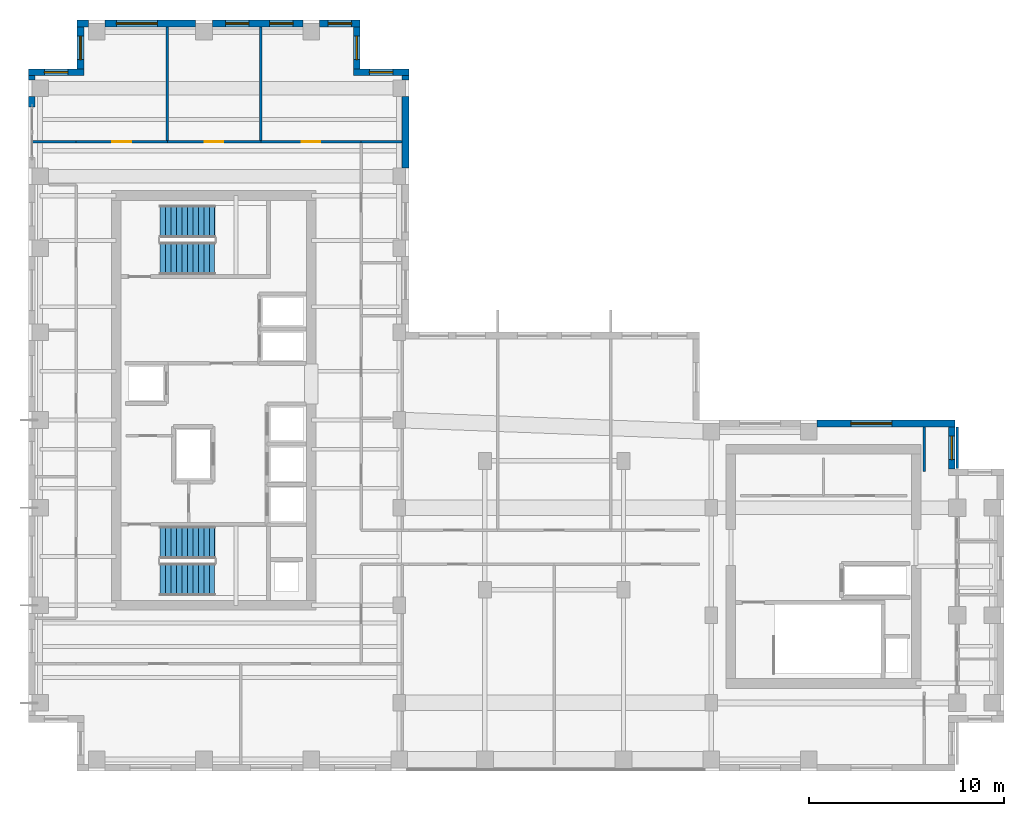
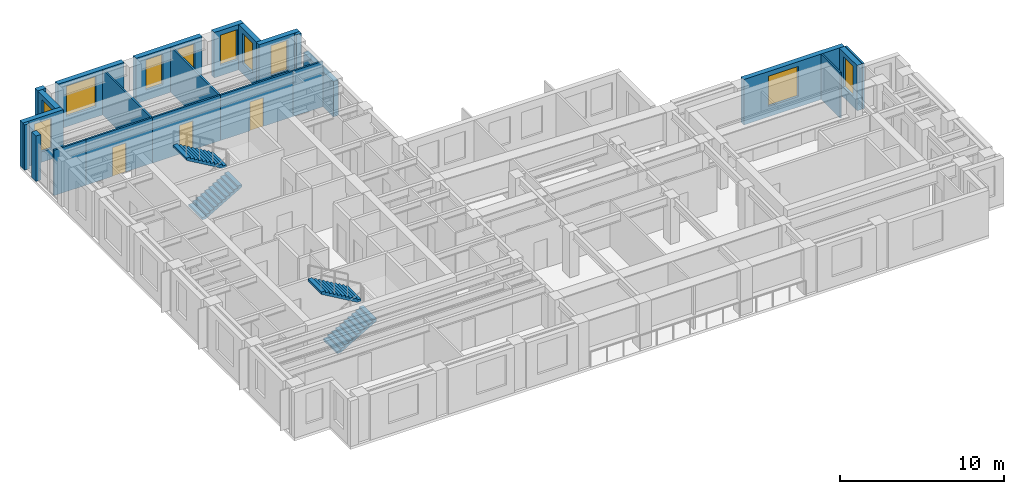
# One storey, part 10 of 13: 23 walls, 10 windows, 4 stair flights, 3 doors, 13 openings, 2 elements without a shape of their own.
"""IFC4 building model written with IfcOpenShell, lengths in metres."""

from ifc_helpers import new_model, si_unit, direction, frame, frame_2d, origin, place, context, subcontext, project, spatial, polyline, rectangle, outline, extrude, source, transform, mapped, material, layer, layer_set, type_object, element, fill, aggregate, save


model = new_model("IFC4")

# Units and contexts
model_context = context("Model", 3, precision=1e-05, world=origin(), true_north=direction((0.0, 1.0)))
body_context = subcontext(model_context, "Body", "Model", "MODEL_VIEW")
ifc_project = project(units=[si_unit("LENGTHUNIT", "METRE"), si_unit("AREAUNIT", "SQUARE_METRE"), si_unit("VOLUMEUNIT", "CUBIC_METRE"), si_unit("PLANEANGLEUNIT", "RADIAN"), si_unit("MASSUNIT", "GRAM", prefix="KILO")], contexts=[model_context])

# Site, building, storey
site_placement = place(None, origin())
site = spatial("IfcSite", under=ifc_project, at=site_placement, CompositionType="ELEMENT")
building_placement = place(site_placement, origin())
building = spatial("IfcBuilding", under=site, at=building_placement, Name="Kharzan Plaza Tower", CompositionType="ELEMENT")
storey_placement = place(building_placement, frame((0.0, 0.0, 259.199951171875)))
storey = spatial("IfcBuildingStorey", under=building, at=storey_placement, Name="L70", CompositionType="ELEMENT", Elevation=259.199951171875)

# Wall, opening, window
ifc_material_1 = material(Name="Concrete C40/50", Category="concrete")
ifc_layer_1 = layer(ifc_material_1, 0.35009765625)
ifc_layer_set_1 = layer_set([ifc_layer_1], Name="Concrete C40/50")
wall_type_1 = type_object("IfcWallType", Name="WL-EXT-MAS-Z4", PredefinedType="SOLIDWALL", material=ifc_layer_set_1)
wall_1_placement = place(storey_placement, frame((19.5, 35.824951171875, 0.0), z_axis=(0.0, 0.0, 1.0), x_axis=(-1.0, 0.0, 0.0)))
wall_1 = element("IfcWall", 1, at=wall_1_placement, inside=storey, type_object=wall_type_1, Name="L70 Masonry-Frame Exterior Wall 06", PredefinedType="SOLIDWALL", context=body_context, shape_type="SweptSolid", body=[
    extrude(rectangle(XDim=2.85009765625, YDim=0.35009765625, at=frame_2d((1.425048828125, 0.0))), origin(), (0.0, 0.0, 1.0), 3.385009765625),
])
opening_1_placement = place(wall_1_placement, frame((0.824951171875, 0.0, 0.780029296875)))
opening_1 = element("IfcOpeningElement", 2, at=opening_1_placement, cuts=wall_1, Name="Opening W3", PredefinedType="OPENING", context=body_context, shape_type="SweptSolid", body=[
    extrude(rectangle(XDim=1.199951171875, YDim=2.25, at=frame_2d((0.60009765625, 1.125))), frame((0.0, 0.18505859375, 0.0), z_axis=(0.0, -1.0, 0.0), x_axis=(1.0, 0.0, 0.0)), (0.0, 0.0, 1.0), 0.3701171875),
])
ifc_material_2 = material(Name="Low-E Double Glazing", Category="glass")
window_type_1 = type_object("IfcWindowType", Name="WN-REC-1200x2100", PartitioningType="SINGLE_PANEL", PredefinedType="WINDOW", material=ifc_material_2)
shared_shape_1 = source(origin(), body_context, "Body", "SweptSolid", [
    extrude(rectangle(XDim=1.199951171875, YDim=2.25, at=frame_2d((0.60009765625, 1.125))), frame((0.0, 0.030029296875, 0.0), z_axis=(0.0, -1.0, 0.0), x_axis=(1.0, 0.0, 0.0)), (0.0, 0.0, 1.0), 0.06005859375),
])
window_1_placement = place(opening_1_placement, origin())
window_1 = element("IfcWindow", 3, at=window_1_placement, inside=storey, type_object=window_type_1, Name="L70 Recessed Solar-Control Window 06-1", OverallHeight=2.25, OverallWidth=1.199951171875, PartitioningType="SINGLE_PANEL", PredefinedType="WINDOW", context=body_context, shape_type="MappedRepresentation", body=[
    mapped(shared_shape_1, transform((0.0, 0.0, 0.0), x_axis=(1.0, 0.0, 0.0), y_axis=(0.0, 1.0, 0.0), z_axis=(0.0, 0.0, 1.0))),
])
fill(opening_1, window_1)

wall_2_placement = place(storey_placement, frame((16.824951171875, 35.998046875, 0.0), z_axis=(0.0, 0.0, 1.0), x_axis=(0.0, 1.0, 0.0)))
wall_2 = element("IfcWall", 4, at=wall_2_placement, inside=storey, type_object=wall_type_1, Name="L70 Masonry-Frame Exterior Wall 07", PredefinedType="SOLIDWALL", context=body_context, shape_type="SweptSolid", body=[
    extrude(rectangle(XDim=2.154052734375, YDim=0.35009765625, at=frame_2d((1.0771484375, 0.0))), origin(), (0.0, 0.0, 1.0), 3.385009765625),
])
opening_2_placement = place(wall_2_placement, frame((0.47705078125, 0.0, 0.780029296875)))
opening_2 = element("IfcOpeningElement", 5, at=opening_2_placement, cuts=wall_2, Name="Opening W3", PredefinedType="OPENING", context=body_context, shape_type="SweptSolid", body=[
    extrude(rectangle(XDim=1.199951171875, YDim=2.25, at=frame_2d((0.60009765625, 1.125))), frame((0.0, 0.18505859375, 0.0), z_axis=(0.0, -1.0, 0.0), x_axis=(1.0, 0.0, 0.0)), (0.0, 0.0, 1.0), 0.3701171875),
])
window_2_placement = place(opening_2_placement, origin())
window_2 = element("IfcWindow", 6, at=window_2_placement, inside=storey, type_object=window_type_1, Name="L70 Recessed Solar-Control Window 07-1", OverallHeight=2.25, OverallWidth=1.199951171875, PartitioningType="SINGLE_PANEL", PredefinedType="WINDOW", context=body_context, shape_type="MappedRepresentation", body=[
    mapped(shared_shape_1, transform((0.0, 0.0, 0.0), x_axis=(1.0, 0.0, 0.0), y_axis=(0.0, 1.0, 0.0), z_axis=(0.0, 0.0, 1.0))),
])
fill(opening_2, window_2)

wall_3_placement = place(storey_placement, frame((17.0, 38.324951171875, 0.0), z_axis=(0.0, 0.0, 1.0), x_axis=(-1.0, 0.0, 0.0)))
wall_3 = element("IfcWall", 7, at=wall_3_placement, inside=storey, type_object=wall_type_1, Name="L70 Masonry-Frame Exterior Wall 08", PredefinedType="SOLIDWALL", context=body_context, shape_type="SweptSolid", body=[
    extrude(rectangle(XDim=2.076904296875, YDim=0.35009765625, at=frame_2d((1.03857421875, 0.0))), origin(), (0.0, 0.0, 1.0), 3.385009765625),
])
opening_3_placement = place(wall_3_placement, frame((0.4384765625, 0.0, 0.780029296875)))
opening_3 = element("IfcOpeningElement", 8, at=opening_3_placement, cuts=wall_3, Name="Opening W3", PredefinedType="OPENING", context=body_context, shape_type="SweptSolid", body=[
    extrude(rectangle(XDim=1.199951171875, YDim=2.25, at=frame_2d((0.60009765625, 1.125))), frame((0.0, 0.18505859375, 0.0), z_axis=(0.0, -1.0, 0.0), x_axis=(1.0, 0.0, 0.0)), (0.0, 0.0, 1.0), 0.3701171875),
])
window_3_placement = place(opening_3_placement, origin())
window_3 = element("IfcWindow", 9, at=window_3_placement, inside=storey, type_object=window_type_1, Name="L70 Recessed Solar-Control Window 08-1", OverallHeight=2.25, OverallWidth=1.199951171875, PartitioningType="SINGLE_PANEL", PredefinedType="WINDOW", context=body_context, shape_type="MappedRepresentation", body=[
    mapped(shared_shape_1, transform((0.0, 0.0, 0.0), x_axis=(1.0, 0.0, 0.0), y_axis=(0.0, 1.0, 0.0), z_axis=(0.0, 0.0, 1.0))),
])
fill(opening_3, window_3)

# Wall, openings, windows
wall_4_placement = place(storey_placement, frame((14.076904296875, 38.324951171875, 0.0), z_axis=(0.0, 0.0, 1.0), x_axis=(-1.0, 0.0, 0.0)))
wall_4 = element("IfcWall", 10, at=wall_4_placement, inside=storey, type_object=wall_type_1, Name="L70 Masonry-Frame Exterior Wall 09", PredefinedType="SOLIDWALL", context=body_context, shape_type="SweptSolid", body=[
    extrude(rectangle(XDim=4.65380859375, YDim=0.35009765625, at=frame_2d((2.326904296875, 0.0))), origin(), (0.0, 0.0, 1.0), 3.385009765625),
])
opening_4_placement = place(wall_4_placement, frame((0.515380859375, 0.0, 0.780029296875)))
opening_4 = element("IfcOpeningElement", 11, at=opening_4_placement, cuts=wall_4, Name="Opening W3", PredefinedType="OPENING", context=body_context, shape_type="SweptSolid", body=[
    extrude(rectangle(XDim=1.199951171875, YDim=2.25, at=frame_2d((0.60009765625, 1.125))), frame((0.0, 0.18505859375, 0.0), z_axis=(0.0, -1.0, 0.0), x_axis=(1.0, 0.0, 0.0)), (0.0, 0.0, 1.0), 0.3701171875),
])
opening_5_placement = place(wall_4_placement, frame((2.7724609375, 0.0, 0.780029296875)))
opening_5 = element("IfcOpeningElement", 12, at=opening_5_placement, cuts=wall_4, Name="Opening W3", PredefinedType="OPENING", context=body_context, shape_type="SweptSolid", body=[
    extrude(rectangle(XDim=1.199951171875, YDim=2.25, at=frame_2d((0.60009765625, 1.125))), frame((0.0, 0.18505859375, 0.0), z_axis=(0.0, -1.0, 0.0), x_axis=(1.0, 0.0, 0.0)), (0.0, 0.0, 1.0), 0.3701171875),
])
window_4_placement = place(opening_4_placement, origin())
window_4 = element("IfcWindow", 13, at=window_4_placement, inside=storey, type_object=window_type_1, Name="L70 Recessed Solar-Control Window 09-1", OverallHeight=2.25, OverallWidth=1.199951171875, PartitioningType="SINGLE_PANEL", PredefinedType="WINDOW", context=body_context, shape_type="MappedRepresentation", body=[
    mapped(shared_shape_1, transform((0.0, 0.0, 0.0), x_axis=(1.0, 0.0, 0.0), y_axis=(0.0, 1.0, 0.0), z_axis=(0.0, 0.0, 1.0))),
])
fill(opening_4, window_4)
window_5_placement = place(opening_5_placement, origin())
window_5 = element("IfcWindow", 14, at=window_5_placement, inside=storey, type_object=window_type_1, Name="L70 Recessed Solar-Control Window 09-2", OverallHeight=2.25, OverallWidth=1.199951171875, PartitioningType="SINGLE_PANEL", PredefinedType="WINDOW", context=body_context, shape_type="MappedRepresentation", body=[
    mapped(shared_shape_1, transform((0.0, 0.0, 0.0), x_axis=(1.0, 0.0, 0.0), y_axis=(0.0, 1.0, 0.0), z_axis=(0.0, 0.0, 1.0))),
])
fill(opening_5, window_5)

# Wall, opening, window
wall_5_placement = place(storey_placement, frame((8.576904296875, 38.324951171875, 0.0), z_axis=(0.0, 0.0, 1.0), x_axis=(-1.0, 0.0, 0.0)))
wall_5 = element("IfcWall", 15, at=wall_5_placement, inside=storey, type_object=wall_type_1, Name="L70 Masonry-Frame Exterior Wall 10", PredefinedType="SOLIDWALL", context=body_context, shape_type="SweptSolid", body=[
    extrude(rectangle(XDim=4.65380859375, YDim=0.35009765625, at=frame_2d((2.326904296875, 0.0))), origin(), (0.0, 0.0, 1.0), 3.385009765625),
])
opening_6_placement = place(wall_5_placement, frame((1.969970703125, 0.0, 0.780029296875)))
opening_6 = element("IfcOpeningElement", 16, at=opening_6_placement, cuts=wall_5, Name="Opening W6", PredefinedType="OPENING", context=body_context, shape_type="SweptSolid", body=[
    extrude(rectangle(XDim=2.10009765625, YDim=2.25, at=frame_2d((1.050048828125, 1.125))), frame((0.0, 0.18505859375, 0.0), z_axis=(0.0, -1.0, 0.0), x_axis=(1.0, 0.0, 0.0)), (0.0, 0.0, 1.0), 0.3701171875),
])
window_type_2 = type_object("IfcWindowType", Name="WN-EXEC-2100x2250", PartitioningType="SINGLE_PANEL", PredefinedType="WINDOW", material=ifc_material_2)
shared_shape_2 = source(origin(), body_context, "Body", "SweptSolid", [
    extrude(rectangle(XDim=2.10009765625, YDim=2.25, at=frame_2d((1.050048828125, 1.125))), frame((0.0, 0.030029296875, 0.0), z_axis=(0.0, -1.0, 0.0), x_axis=(1.0, 0.0, 0.0)), (0.0, 0.0, 1.0), 0.06005859375),
])
window_6_placement = place(opening_6_placement, origin())
window_6 = element("IfcWindow", 17, at=window_6_placement, inside=storey, type_object=window_type_2, Name="L70 Recessed Solar-Control Window 10-1", OverallHeight=2.25, OverallWidth=2.10009765625, PartitioningType="SINGLE_PANEL", PredefinedType="WINDOW", context=body_context, shape_type="MappedRepresentation", body=[
    mapped(shared_shape_2, transform((0.0, 0.0, 0.0), x_axis=(1.0, 0.0, 0.0), y_axis=(0.0, 1.0, 0.0), z_axis=(0.0, 0.0, 1.0))),
])
fill(opening_6, window_6)

wall_6_placement = place(storey_placement, frame((2.675048828125, 38.152099609375, 0.0), z_axis=(0.0, 0.0, 1.0), x_axis=(0.0, -1.0, 0.0)))
wall_6 = element("IfcWall", 18, at=wall_6_placement, inside=storey, type_object=wall_type_1, Name="L70 Masonry-Frame Exterior Wall 12", PredefinedType="SOLIDWALL", context=body_context, shape_type="SweptSolid", body=[
    extrude(rectangle(XDim=2.154052734375, YDim=0.35009765625, at=frame_2d((1.0771484375, 0.0))), origin(), (0.0, 0.0, 1.0), 3.385009765625),
])
opening_7_placement = place(wall_6_placement, frame((0.47705078125, 0.0, 0.780029296875)))
opening_7 = element("IfcOpeningElement", 19, at=opening_7_placement, cuts=wall_6, Name="Opening W3", PredefinedType="OPENING", context=body_context, shape_type="SweptSolid", body=[
    extrude(rectangle(XDim=1.199951171875, YDim=2.25, at=frame_2d((0.60009765625, 1.125))), frame((0.0, 0.18505859375, 0.0), z_axis=(0.0, -1.0, 0.0), x_axis=(1.0, 0.0, 0.0)), (0.0, 0.0, 1.0), 0.3701171875),
])
window_7_placement = place(opening_7_placement, origin())
window_7 = element("IfcWindow", 20, at=window_7_placement, inside=storey, type_object=window_type_1, Name="L70 Recessed Solar-Control Window 12-1", OverallHeight=2.25, OverallWidth=1.199951171875, PartitioningType="SINGLE_PANEL", PredefinedType="WINDOW", context=body_context, shape_type="MappedRepresentation", body=[
    mapped(shared_shape_1, transform((0.0, 0.0, 0.0), x_axis=(1.0, 0.0, 0.0), y_axis=(0.0, 1.0, 0.0), z_axis=(0.0, 0.0, 1.0))),
])
fill(opening_7, window_7)

wall_7_placement = place(storey_placement, frame((2.85009765625, 35.824951171875, 0.0), z_axis=(0.0, 0.0, 1.0), x_axis=(-1.0, 0.0, 0.0)))
wall_7 = element("IfcWall", 21, at=wall_7_placement, inside=storey, type_object=wall_type_1, Name="L70 Masonry-Frame Exterior Wall 13", PredefinedType="SOLIDWALL", context=body_context, shape_type="SweptSolid", body=[
    extrude(rectangle(XDim=2.85009765625, YDim=0.35009765625, at=frame_2d((1.425048828125, 0.0))), origin(), (0.0, 0.0, 1.0), 3.385009765625),
])
opening_8_placement = place(wall_7_placement, frame((0.824951171875, 0.0, 0.780029296875)))
opening_8 = element("IfcOpeningElement", 22, at=opening_8_placement, cuts=wall_7, Name="Opening W3", PredefinedType="OPENING", context=body_context, shape_type="SweptSolid", body=[
    extrude(rectangle(XDim=1.199951171875, YDim=2.25, at=frame_2d((0.60009765625, 1.125))), frame((0.0, 0.18505859375, 0.0), z_axis=(0.0, -1.0, 0.0), x_axis=(1.0, 0.0, 0.0)), (0.0, 0.0, 1.0), 0.3701171875),
])
window_8_placement = place(opening_8_placement, origin())
window_8 = element("IfcWindow", 23, at=window_8_placement, inside=storey, type_object=window_type_1, Name="L70 Recessed Solar-Control Window 13-1", OverallHeight=2.25, OverallWidth=1.199951171875, PartitioningType="SINGLE_PANEL", PredefinedType="WINDOW", context=body_context, shape_type="MappedRepresentation", body=[
    mapped(shared_shape_1, transform((0.0, 0.0, 0.0), x_axis=(1.0, 0.0, 0.0), y_axis=(0.0, 1.0, 0.0), z_axis=(0.0, 0.0, 1.0))),
])
fill(opening_8, window_8)

wall_8_placement = place(storey_placement, frame((47.324951171875, 15.498046875, 0.0), z_axis=(0.0, 0.0, 1.0), x_axis=(0.0, 1.0, 0.0)))
wall_8 = element("IfcWall", 24, at=wall_8_placement, inside=storey, type_object=wall_type_1, Name="L70 Masonry-Frame Exterior Wall 39", PredefinedType="SOLIDWALL", context=body_context, shape_type="SweptSolid", body=[
    extrude(rectangle(XDim=2.154052734375, YDim=0.35009765625, at=frame_2d((1.0771484375, 0.0))), origin(), (0.0, 0.0, 1.0), 3.385009765625),
])
opening_9_placement = place(wall_8_placement, frame((0.47705078125, 0.0, 0.780029296875)))
opening_9 = element("IfcOpeningElement", 25, at=opening_9_placement, cuts=wall_8, Name="Opening W3", PredefinedType="OPENING", context=body_context, shape_type="SweptSolid", body=[
    extrude(rectangle(XDim=1.199951171875, YDim=2.25, at=frame_2d((0.60009765625, 1.125))), frame((0.0, 0.18505859375, 0.0), z_axis=(0.0, -1.0, 0.0), x_axis=(1.0, 0.0, 0.0)), (0.0, 0.0, 1.0), 0.3701171875),
])
window_9_placement = place(opening_9_placement, origin())
window_9 = element("IfcWindow", 26, at=window_9_placement, inside=storey, type_object=window_type_1, Name="L70 Recessed Solar-Control Window 39-1", OverallHeight=2.25, OverallWidth=1.199951171875, PartitioningType="SINGLE_PANEL", PredefinedType="WINDOW", context=body_context, shape_type="MappedRepresentation", body=[
    mapped(shared_shape_1, transform((0.0, 0.0, 0.0), x_axis=(1.0, 0.0, 0.0), y_axis=(0.0, 1.0, 0.0), z_axis=(0.0, 0.0, 1.0))),
])
fill(opening_9, window_9)

wall_9_placement = place(storey_placement, frame((47.5, 17.824951171875, 0.0), z_axis=(0.0, 0.0, 1.0), x_axis=(-1.0, 0.0, 0.0)))
wall_9 = element("IfcWall", 27, at=wall_9_placement, inside=storey, type_object=wall_type_1, Name="L70 Masonry-Frame Exterior Wall 40", PredefinedType="SOLIDWALL", context=body_context, shape_type="SweptSolid", body=[
    extrude(rectangle(XDim=7.076904296875, YDim=0.35009765625, at=frame_2d((3.53857421875, 0.0))), origin(), (0.0, 0.0, 1.0), 3.385009765625),
])
opening_10_placement = place(wall_9_placement, frame((3.243408203125, 0.0, 0.780029296875)))
opening_10 = element("IfcOpeningElement", 28, at=opening_10_placement, cuts=wall_9, Name="Opening W6", PredefinedType="OPENING", context=body_context, shape_type="SweptSolid", body=[
    extrude(rectangle(XDim=2.10009765625, YDim=2.25, at=frame_2d((1.050048828125, 1.125))), frame((0.0, 0.18505859375, 0.0), z_axis=(0.0, -1.0, 0.0), x_axis=(1.0, 0.0, 0.0)), (0.0, 0.0, 1.0), 0.3701171875),
])
window_10_placement = place(opening_10_placement, origin())
window_10 = element("IfcWindow", 29, at=window_10_placement, inside=storey, type_object=window_type_2, Name="L70 Recessed Solar-Control Window 40-1", OverallHeight=2.25, OverallWidth=2.10009765625, PartitioningType="SINGLE_PANEL", PredefinedType="WINDOW", context=body_context, shape_type="MappedRepresentation", body=[
    mapped(shared_shape_2, transform((0.0, 0.0, 0.0), x_axis=(1.0, 0.0, 0.0), y_axis=(0.0, 1.0, 0.0), z_axis=(0.0, 0.0, 1.0))),
])
fill(opening_10, window_10)

# Wall, opening, door
ifc_material_3 = material(Name="Fire-Rated Gypsum Board Partition", Category="gypsum")
ifc_layer_2 = layer(ifc_material_3, 0.125)
ifc_layer_set_2 = layer_set([ifc_layer_2], Name="Fire-Rated Gypsum Board Partition")
wall_type_2 = type_object("IfcWallType", Name="WL-INT-PART-125", PredefinedType="PARTITIONING", material=ifc_layer_set_2)
wall_10_placement = place(storey_placement, frame((2.449951171875, 32.25, 0.0), z_axis=(0.0, 0.0, 1.0), x_axis=(1.0, 0.0, 0.0)))
wall_10 = element("IfcWall", 30, at=wall_10_placement, inside=storey, type_object=wall_type_2, Name="L70 Interior Partition SH-NN-1", PredefinedType="PARTITIONING", context=body_context, shape_type="SweptSolid", body=[
    extrude(rectangle(XDim=4.671142578125, YDim=0.125, at=frame_2d((2.33544921875, 0.0))), origin(), (0.0, 0.0, 1.0), 3.385009765625),
])
opening_11_placement = place(wall_10_placement, frame((1.860595703125, 0.0, 0.0)))
opening_11 = element("IfcOpeningElement", 31, at=opening_11_placement, cuts=wall_10, Name="Opening OD1", PredefinedType="OPENING", context=body_context, shape_type="SweptSolid", body=[
    extrude(rectangle(XDim=0.949951171875, YDim=2.14990234375, at=frame_2d((0.47509765625, 1.074951171875))), frame((0.0, 0.072509765625, 0.0), z_axis=(0.0, -1.0, 0.0), x_axis=(1.0, 0.0, 0.0)), (0.0, 0.0, 1.0), 0.14501953125),
])
ifc_material_4 = material(Name="Acoustic Solid-Core Stained Oak", Category="timber")
door_type = type_object("IfcDoorType", Name="DR-OFF-SINGLE", OperationType="NOTDEFINED", PredefinedType="DOOR", material=ifc_material_4)
shared_shape_3 = source(origin(), body_context, "Body", "SweptSolid", [
    extrude(rectangle(XDim=0.949951171875, YDim=2.14990234375, at=frame_2d((0.47509765625, 1.074951171875))), frame((0.0, 0.02490234375, 0.0), z_axis=(0.0, -1.0, 0.0), x_axis=(1.0, 0.0, 0.0)), (0.0, 0.0, 1.0), 0.050048828125),
])
door_1_placement = place(opening_11_placement, origin())
door_1 = element("IfcDoor", 32, at=door_1_placement, inside=storey, type_object=door_type, Name="L70 Systems Planning Office Door", OperationType="SINGLE_SWING_LEFT", OverallHeight=2.14990234375, OverallWidth=0.949951171875, PredefinedType="DOOR", context=body_context, shape_type="MappedRepresentation", body=[
    mapped(shared_shape_3, transform((0.0, 0.0, 0.0), x_axis=(1.0, 0.0, 0.0), y_axis=(0.0, 1.0, 0.0), z_axis=(0.0, 0.0, 1.0))),
])
fill(opening_11, door_1)

wall_11_placement = place(storey_placement, frame((7.12109375, 32.25, 0.0), z_axis=(0.0, 0.0, 1.0), x_axis=(1.0, 0.0, 0.0)))
wall_11 = element("IfcWall", 33, at=wall_11_placement, inside=storey, type_object=wall_type_2, Name="L70 Interior Partition SH-NN-2", PredefinedType="PARTITIONING", context=body_context, shape_type="SweptSolid", body=[
    extrude(rectangle(XDim=4.794921875, YDim=0.125, at=frame_2d((2.3974609375, 0.0))), origin(), (0.0, 0.0, 1.0), 3.385009765625),
])
opening_12_placement = place(wall_11_placement, frame((1.922607421875, 0.0, 0.0)))
opening_12 = element("IfcOpeningElement", 34, at=opening_12_placement, cuts=wall_11, Name="Opening OD1", PredefinedType="OPENING", context=body_context, shape_type="SweptSolid", body=[
    extrude(rectangle(XDim=0.949951171875, YDim=2.14990234375, at=frame_2d((0.47509765625, 1.074951171875))), frame((0.0, 0.072509765625, 0.0), z_axis=(0.0, -1.0, 0.0), x_axis=(1.0, 0.0, 0.0)), (0.0, 0.0, 1.0), 0.14501953125),
])
door_2_placement = place(opening_12_placement, origin())
door_2 = element("IfcDoor", 35, at=door_2_placement, inside=storey, type_object=door_type, Name="L70 Open Office Workspace Door", OperationType="SINGLE_SWING_RIGHT", OverallHeight=2.14990234375, OverallWidth=0.949951171875, PredefinedType="DOOR", context=body_context, shape_type="MappedRepresentation", body=[
    mapped(shared_shape_3, transform((0.0, 0.0, 0.0), x_axis=(1.0, 0.0, 0.0), y_axis=(0.0, 1.0, 0.0), z_axis=(0.0, 0.0, 1.0))),
])
fill(opening_12, door_2)

wall_12_placement = place(storey_placement, frame((11.916015625, 32.25, 0.0), z_axis=(0.0, 0.0, 1.0), x_axis=(1.0, 0.0, 0.0)))
wall_12 = element("IfcWall", 36, at=wall_12_placement, inside=storey, type_object=wall_type_2, Name="L70 Interior Partition SH-NN-3", PredefinedType="PARTITIONING", context=body_context, shape_type="SweptSolid", body=[
    extrude(rectangle(XDim=5.134033203125, YDim=0.125, at=frame_2d((2.56689453125, 0.0))), origin(), (0.0, 0.0, 1.0), 3.385009765625),
])
opening_13_placement = place(wall_12_placement, frame((2.092041015625, 0.0, 0.0)))
opening_13 = element("IfcOpeningElement", 37, at=opening_13_placement, cuts=wall_12, Name="Opening OD1", PredefinedType="OPENING", context=body_context, shape_type="SweptSolid", body=[
    extrude(rectangle(XDim=0.949951171875, YDim=2.14990234375, at=frame_2d((0.47509765625, 1.074951171875))), frame((0.0, 0.072509765625, 0.0), z_axis=(0.0, -1.0, 0.0), x_axis=(1.0, 0.0, 0.0)), (0.0, 0.0, 1.0), 0.14501953125),
])
door_3_placement = place(opening_13_placement, origin())
door_3 = element("IfcDoor", 38, at=door_3_placement, inside=storey, type_object=door_type, Name="L70 Open Office Workspace Door", OperationType="SINGLE_SWING_LEFT", OverallHeight=2.14990234375, OverallWidth=0.949951171875, PredefinedType="DOOR", context=body_context, shape_type="MappedRepresentation", body=[
    mapped(shared_shape_3, transform((0.0, 0.0, 0.0), x_axis=(1.0, 0.0, 0.0), y_axis=(0.0, 1.0, 0.0), z_axis=(0.0, 0.0, 1.0))),
])
fill(opening_13, door_3)

# Walls
shared_shape_4 = source(origin(), body_context, "Body", "SweptSolid", [
    extrude(rectangle(XDim=2.097900390625, YDim=0.125, at=frame_2d((1.048828125, 0.0))), origin(), (0.0, 0.0, 1.0), 3.385009765625),
])
wall_13_placement = place(storey_placement, frame((17.050048828125, 32.25, 0.0), z_axis=(0.0, 0.0, 1.0), x_axis=(1.0, 0.0, 0.0)))
element("IfcWall", 39, at=wall_13_placement, inside=storey, type_object=wall_type_2, Name="L70 Interior Partition SH-NNE0", PredefinedType="PARTITIONING", context=body_context, shape_type="MappedRepresentation", body=[
    mapped(shared_shape_4, transform((0.0, 0.0, 0.0), x_axis=(1.0, 0.0, 0.0), y_axis=(0.0, 1.0, 0.0), z_axis=(0.0, 0.0, 1.0))),
])
shared_shape_5 = source(origin(), body_context, "Body", "SweptSolid", [
    extrude(rectangle(XDim=2.2978515625, YDim=0.125, at=frame_2d((1.14892578125, 0.0))), origin(), (0.0, 0.0, 1.0), 3.385009765625),
])
wall_14_placement = place(storey_placement, frame((45.919921875, 15.35009765625, 0.0), z_axis=(0.0, 0.0, 1.0), x_axis=(0.0, 1.0, 0.0)))
element("IfcWall", 40, at=wall_14_placement, inside=storey, type_object=wall_type_2, Name="L70 Interior Partition SH-RBNE0", PredefinedType="PARTITIONING", context=body_context, shape_type="MappedRepresentation", body=[
    mapped(shared_shape_5, transform((0.0, 0.0, 0.0), x_axis=(1.0, 0.0, 0.0), y_axis=(0.0, 1.0, 0.0), z_axis=(0.0, 0.0, 1.0))),
])
shared_shape_6 = source(origin(), body_context, "Body", "SweptSolid", [
    extrude(rectangle(XDim=0.576904296875, YDim=0.35009765625, at=frame_2d((0.28857421875, 0.0))), origin(), (0.0, 0.0, 1.0), 3.385009765625),
])
wall_15_placement = place(storey_placement, frame((3.076904296875, 38.324951171875, 0.0), z_axis=(0.0, 0.0, 1.0), x_axis=(-1.0, 0.0, 0.0)))
element("IfcWall", 41, at=wall_15_placement, inside=storey, type_object=wall_type_1, Name="L70 Masonry-Frame Exterior Wall 11", PredefinedType="SOLIDWALL", context=body_context, shape_type="MappedRepresentation", body=[
    mapped(shared_shape_6, transform((0.0, 0.0, 0.0), x_axis=(1.0, 0.0, 0.0), y_axis=(0.0, 1.0, 0.0), z_axis=(0.0, 0.0, 1.0))),
])
shared_shape_7 = source(origin(), body_context, "Body", "SweptSolid", [
    extrude(rectangle(XDim=0.22900390625, YDim=0.35009765625, at=frame_2d((0.114501953125, 0.0))), origin(), (0.0, 0.0, 1.0), 3.385009765625),
])
for number, where, z_axis, x_axis, name in (
    (42, (19.324951171875, 35.423095703125, 0.0), (0.0, 0.0, 1.0), (0.0, 1.0, 0.0), "L70 Masonry-Frame Exterior Wall 05"),
    (43, (0.175048828125, 35.652099609375, 0.0), (0.0, 0.0, 1.0), (0.0, -1.0, 0.0), "L70 Masonry-Frame Exterior Wall 14"),
):
    element("IfcWall", number, at=place(storey_placement, frame(where, z_axis=z_axis, x_axis=x_axis)), inside=storey, type_object=wall_type_1, Name=name, PredefinedType="SOLIDWALL", context=body_context, shape_type="MappedRepresentation", body=[
        mapped(shared_shape_7, transform((0.0, 0.0, 0.0), x_axis=(1.0, 0.0, 0.0), y_axis=(0.0, 1.0, 0.0), z_axis=(0.0, 0.0, 1.0))),
    ])
shared_shape_8 = source(origin(), body_context, "Body", "SweptSolid", [
    extrude(rectangle(XDim=0.52685546875, YDim=0.35009765625, at=frame_2d((0.263427734375, 0.0))), origin(), (0.0, 0.0, 1.0), 3.385009765625),
])
wall_16_placement = place(storey_placement, frame((0.175048828125, 34.576904296875, 0.0), z_axis=(0.0, 0.0, 1.0), x_axis=(0.0, -1.0, 0.0)))
element("IfcWall", 44, at=wall_16_placement, inside=storey, type_object=wall_type_1, Name="L70 Masonry-Frame Exterior Wall 15", PredefinedType="SOLIDWALL", context=body_context, shape_type="MappedRepresentation", body=[
    mapped(shared_shape_8, transform((0.0, 0.0, 0.0), x_axis=(1.0, 0.0, 0.0), y_axis=(0.0, 1.0, 0.0), z_axis=(0.0, 0.0, 1.0))),
])
shared_shape_9 = source(origin(), body_context, "Body", "SweptSolid", [
    extrude(rectangle(XDim=3.65380859375, YDim=0.35009765625, at=frame_2d((1.826904296875, 0.0))), origin(), (0.0, 0.0, 1.0), 2.619140625),
])
wall_17_placement = place(storey_placement, frame((19.324951171875, 30.923095703125, 0.0), z_axis=(0.0, 0.0, 1.0), x_axis=(0.0, 1.0, 0.0)))
element("IfcWall", 45, at=wall_17_placement, inside=storey, type_object=wall_type_1, Name="L70 Masonry-Frame Exterior Wall 04", PredefinedType="SOLIDWALL", context=body_context, shape_type="MappedRepresentation", body=[
    mapped(shared_shape_9, transform((0.0, 0.0, 0.0), x_axis=(1.0, 0.0, 0.0), y_axis=(0.0, 1.0, 0.0), z_axis=(0.0, 0.0, 1.0))),
])
shared_shape_10 = source(origin(), body_context, "Body", "SweptSolid", [
    extrude(rectangle(XDim=2.14794921875, YDim=0.125, at=frame_2d((1.073974609375, 0.0))), origin(), (0.0, 0.0, 1.0), 3.385009765625),
])
wall_18_placement = place(storey_placement, frame((47.60009765625, 15.501953125, 0.0), z_axis=(0.0, 0.0, 1.0), x_axis=(0.0, 1.0, 0.0)))
element("IfcWall", 46, at=wall_18_placement, inside=storey, type_object=wall_type_2, Name="L70 Interior Partition SH-B3W2N", PredefinedType="PARTITIONING", context=body_context, shape_type="MappedRepresentation", body=[
    mapped(shared_shape_10, transform((0.0, 0.0, 0.0), x_axis=(1.0, 0.0, 0.0), y_axis=(0.0, 1.0, 0.0), z_axis=(0.0, 0.0, 1.0))),
])
shared_shape_11 = source(origin(), body_context, "Body", "SweptSolid", [
    extrude(rectangle(XDim=5.89794921875, YDim=0.125, at=frame_2d((2.948974609375, 0.0))), origin(), (0.0, 0.0, 1.0), 3.385009765625),
])
for number, where, z_axis, x_axis, name in (
    (47, (7.12109375, 32.25, 0.0), (0.0, 0.0, 1.0), (0.0, 1.0, 0.0), "L70 Interior Partition SH-NV-1"),
    (48, (11.916015625, 32.25, 0.0), (0.0, 0.0, 1.0), (0.0, 1.0, 0.0), "L70 Interior Partition SH-NV-2"),
):
    element("IfcWall", number, at=place(storey_placement, frame(where, z_axis=z_axis, x_axis=x_axis)), inside=storey, type_object=wall_type_2, Name=name, PredefinedType="PARTITIONING", context=body_context, shape_type="MappedRepresentation", body=[
        mapped(shared_shape_11, transform((0.0, 0.0, 0.0), x_axis=(1.0, 0.0, 0.0), y_axis=(0.0, 1.0, 0.0), z_axis=(0.0, 0.0, 1.0))),
    ])
shared_shape_12 = source(origin(), body_context, "Body", "SweptSolid", [
    extrude(rectangle(XDim=2.239990234375, YDim=0.125, at=frame_2d((1.1201171875, 0.0))), origin(), (0.0, 0.0, 1.0), 3.385009765625),
])
wall_19_placement = place(storey_placement, frame((0.2099609375, 32.25, 0.0), z_axis=(0.0, 0.0, 1.0), x_axis=(1.0, 0.0, 0.0)))
element("IfcWall", 49, at=wall_19_placement, inside=storey, type_object=wall_type_2, Name="L70 Interior Partition SH-NNW0", PredefinedType="PARTITIONING", context=body_context, shape_type="MappedRepresentation", body=[
    mapped(shared_shape_12, transform((0.0, 0.0, 0.0), x_axis=(1.0, 0.0, 0.0), y_axis=(0.0, 1.0, 0.0), z_axis=(0.0, 0.0, 1.0))),
])

# Stair, stair flights
stair_type_1 = type_object("IfcStairType", Name="STR-ST-1", PredefinedType="HALF_TURN_STAIR", material=ifc_material_1)
stair_1_placement = place(storey_placement, origin())
stair_1 = element("IfcStair", 50, at=stair_1_placement, inside=storey, type_object=stair_type_1, Name="L70 Protected Exit Stair ST-1", PredefinedType="HALF_TURN_STAIR")
stair_flight_type = type_object("IfcStairFlightType", Name="SFL-1650-R173", PredefinedType="STRAIGHT", material=ifc_material_1)
shared_shape_13 = source(origin(), body_context, "Body", "SweptSolid", [
    extrude(outline(polyline([(-0.0029296875, -0.011962890625), (-0.0029296875, 0.0), (0.0, 0.0), (0.0, 0.16357421875), (0.280029296875, 0.16357421875), (0.280029296875, 0.3271484375), (0.56005859375, 0.3271484375), (0.56005859375, 0.49072265625), (0.840087890625, 0.49072265625), (0.840087890625, 0.654296875), (1.1201171875, 0.654296875), (1.1201171875, 0.81787109375), (1.400146484375, 0.81787109375), (1.400146484375, 0.9814453125), (1.68017578125, 0.9814453125), (1.68017578125, 1.14501953125), (1.960205078125, 1.14501953125), (1.960205078125, 1.30859375), (2.240234375, 1.30859375), (2.240234375, 1.47216796875), (2.520263671875, 1.47216796875), (2.520263671875, 1.6357421875), (2.80029296875, 1.6357421875), (2.80029296875, 1.79931640625), (2.80029296875, 1.462158203125), (0.297119140625, 0.0), (0.297119140625, -0.011962890625), (-0.0029296875, -0.011962890625)])), frame((0.0, 0.824951171875, 0.0), z_axis=(0.0, -1.0, 0.0), x_axis=(1.0, 0.0, 0.0)), (0.0, 0.0, 1.0), 1.64990234375),
])
stair_flight_1_placement = place(storey_placement, frame((6.75, 9.824951171875, 0.0), z_axis=(0.0, 0.0, 1.0), x_axis=(1.0, 0.0, 0.0)))
stair_flight_1 = element("IfcStairFlight", 51, at=stair_flight_1_placement, type_object=stair_flight_type, Name="ST-1 flight 1", NumberOfRisers=11, NumberOfTreads=10, PredefinedType="STRAIGHT", RiserHeight=0.163636364, TreadLength=0.28, context=body_context, shape_type="MappedRepresentation", body=[
    mapped(shared_shape_13, transform((0.0, 0.0, 0.0), x_axis=(1.0, 0.0, 0.0), y_axis=(0.0, 1.0, 0.0), z_axis=(0.0, 0.0, 1.0))),
])
stair_flight_2_placement = place(storey_placement, frame((9.550048828125, 11.72509765625, 1.800048828125), z_axis=(0.0, 0.0, 1.0), x_axis=(-1.0, 0.0, 0.0)))
stair_flight_2 = element("IfcStairFlight", 52, at=stair_flight_2_placement, type_object=stair_flight_type, Name="ST-1 flight 2", NumberOfRisers=11, NumberOfTreads=10, PredefinedType="STRAIGHT", RiserHeight=0.163636364, TreadLength=0.28, context=body_context, shape_type="MappedRepresentation", body=[
    mapped(shared_shape_13, transform((0.0, 0.0, 0.0), x_axis=(1.0, 0.0, 0.0), y_axis=(0.0, 1.0, 0.0), z_axis=(0.0, 0.0, 1.0))),
])
aggregate(stair_1, [stair_flight_1, stair_flight_2])

stair_type_2 = type_object("IfcStairType", Name="STR-ST-2", PredefinedType="HALF_TURN_STAIR", material=ifc_material_1)
stair_2_placement = place(storey_placement, origin())
stair_2 = element("IfcStair", 53, at=stair_2_placement, inside=storey, type_object=stair_type_2, Name="L70 Protected Exit Stair ST-2", PredefinedType="HALF_TURN_STAIR")
stair_flight_3_placement = place(storey_placement, frame((6.75, 26.27490234375, 0.0), z_axis=(0.0, 0.0, 1.0), x_axis=(1.0, 0.0, 0.0)))
stair_flight_3 = element("IfcStairFlight", 54, at=stair_flight_3_placement, type_object=stair_flight_type, Name="ST-2 flight 1", NumberOfRisers=11, NumberOfTreads=10, PredefinedType="STRAIGHT", RiserHeight=0.163636364, TreadLength=0.28, context=body_context, shape_type="MappedRepresentation", body=[
    mapped(shared_shape_13, transform((0.0, 0.0, 0.0), x_axis=(1.0, 0.0, 0.0), y_axis=(0.0, 1.0, 0.0), z_axis=(0.0, 0.0, 1.0))),
])
stair_flight_4_placement = place(storey_placement, frame((9.550048828125, 28.175048828125, 1.800048828125), z_axis=(0.0, 0.0, 1.0), x_axis=(-1.0, 0.0, 0.0)))
stair_flight_4 = element("IfcStairFlight", 55, at=stair_flight_4_placement, type_object=stair_flight_type, Name="ST-2 flight 2", NumberOfRisers=11, NumberOfTreads=10, PredefinedType="STRAIGHT", RiserHeight=0.163636364, TreadLength=0.28, context=body_context, shape_type="MappedRepresentation", body=[
    mapped(shared_shape_13, transform((0.0, 0.0, 0.0), x_axis=(1.0, 0.0, 0.0), y_axis=(0.0, 1.0, 0.0), z_axis=(0.0, 0.0, 1.0))),
])
aggregate(stair_2, [stair_flight_3, stair_flight_4])

save(model, "model.ifc")
